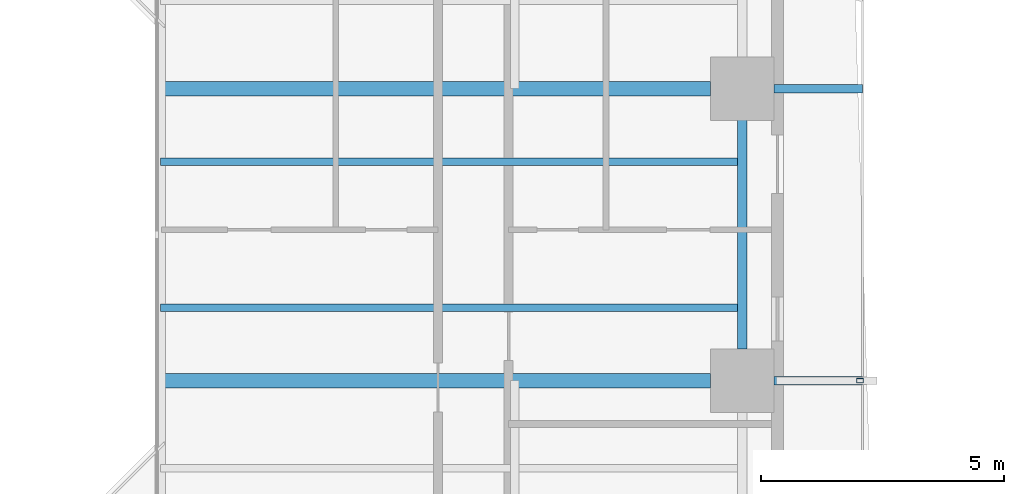
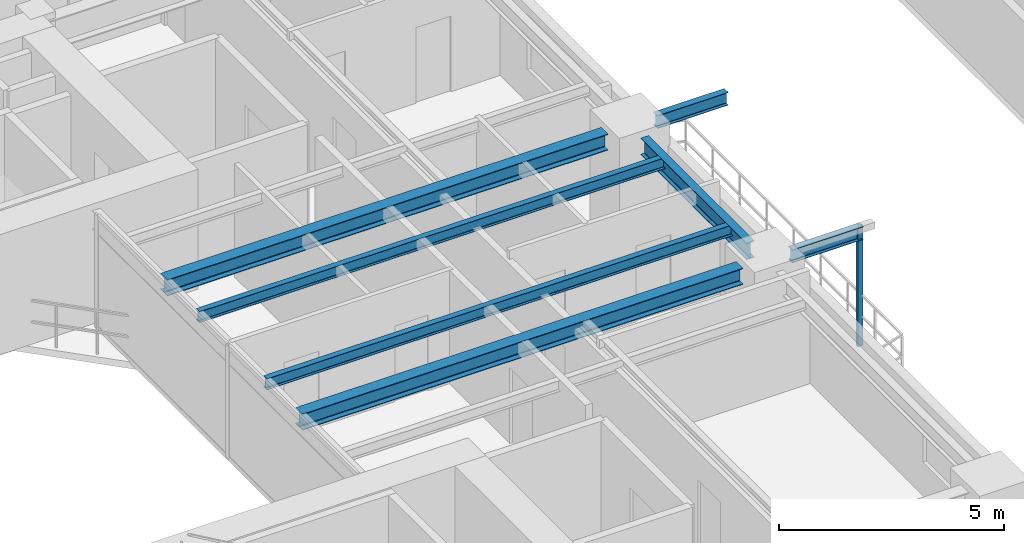
# One storey, part 7 of 23: 7 beams, 1 member.
"""IFC4 building model written with IfcOpenShell, lengths in metres."""

from ifc_helpers import new_model, si_unit, direction, frame, origin, origin_2d, place, context, subcontext, project, spatial, hollow_rectangle, i_section, extrude, source, transform, mapped, material, material_profile, profile_set, type_object, element, save


model = new_model("IFC4")

# Units and contexts
model_context = context("Model", 3, precision=1e-05, world=origin(), true_north=direction((0.0, 1.0)))
body_context = subcontext(model_context, "Body", "Model", "MODEL_VIEW")
ifc_project = project(units=[si_unit("LENGTHUNIT", "METRE"), si_unit("AREAUNIT", "SQUARE_METRE"), si_unit("VOLUMEUNIT", "CUBIC_METRE"), si_unit("PLANEANGLEUNIT", "RADIAN"), si_unit("MASSUNIT", "GRAM", prefix="KILO"), si_unit("THERMODYNAMICTEMPERATUREUNIT", "KELVIN"), si_unit("POWERUNIT", "WATT")], contexts=[model_context])

# Site, building, storey
site_placement = place(None, origin())
site = spatial("IfcSite", under=ifc_project, at=site_placement, CompositionType="ELEMENT")
building_placement = place(site_placement, origin())
building = spatial("IfcBuilding", under=site, at=building_placement, Name="Qiaomeng Ring Towers", CompositionType="ELEMENT")
storey_placement = place(building_placement, frame((0.0, 0.0, 39.25)))
storey = spatial("IfcBuildingStorey", under=building, at=storey_placement, Name="L10", CompositionType="ELEMENT", Elevation=39.25)

# Beams
ifc_material_1 = material(Name="Steel Q355B", Category="steel")
ifc_material_profile_1 = material_profile(ifc_material_1, i_section(OverallWidth=0.199951171875, OverallDepth=0.449951171875, WebThickness=0.009033203125, FlangeThickness=0.013916015625, FilletRadius=0.01806640625, at=origin_2d()), Name="HN 450x200x9x14")
ifc_profile_set_1 = profile_set([ifc_material_profile_1], Name="Steel Q355B")
beam_type_1 = type_object("IfcBeamType", Name="STR-BM-HN450", PredefinedType="SPANDREL", material=ifc_profile_set_1)
shared_shape_1 = source(origin(), body_context, "Body", "SweptSolid", [
    extrude(i_section(OverallWidth=0.199951171875, OverallDepth=0.449951171875, WebThickness=0.009033203125, FlangeThickness=0.013916015625, FilletRadius=0.01806640625, at=origin_2d()), origin(), (0.0, 0.0, 1.0), 4.7021484375),
])
beam_placement = place(storey_placement, frame((37.14990234375, 20.64892578125, 2.844970703125), z_axis=(0.0, 1.0, 0.0), x_axis=(-1.0, 0.0, 0.0)))
element("IfcBeam", 1, at=beam_placement, inside=storey, type_object=beam_type_1, Name="L10 beam STR-SP-L10-T1-E2-E3", PredefinedType="SPANDREL", context=body_context, shape_type="MappedRepresentation", body=[
    mapped(shared_shape_1, transform((0.0, 0.0, 0.0), x_axis=(1.0, 0.0, 0.0), y_axis=(0.0, 1.0, 0.0), z_axis=(0.0, 0.0, 1.0), scale=1.0)),
])
ifc_material_profile_2 = material_profile(ifc_material_1, i_section(OverallWidth=0.300048828125, OverallDepth=0.43994140625, WebThickness=0.010986328125, FlangeThickness=0.01806640625, FilletRadius=0.02392578125, at=origin_2d()), Name="HM 440x300x11x18")
ifc_profile_set_2 = profile_set([ifc_material_profile_2], Name="Steel Q355B")
beam_type_2 = type_object("IfcBeamType", Name="STR-BM-HM440", PredefinedType="BEAM", material=ifc_profile_set_2)
shared_shape_2 = source(origin(), body_context, "Body", "SweptSolid", [
    extrude(i_section(OverallWidth=0.300048828125, OverallDepth=0.43994140625, WebThickness=0.010986328125, FlangeThickness=0.01806640625, FilletRadius=0.02392578125, at=origin_2d()), origin(), (0.0, 0.0, 1.0), 11.301025390625),
])
for number, where, z_axis, x_axis, name in (
    (2, (25.199951171875, 20.0, 2.85009765625), (1.0, 0.0, 0.0), (0.0, 1.0, 0.0), "L10 beam STR-BM-L10-T1-RAD-E2"),
    (3, (25.199951171875, 26.0, 2.85009765625), (1.0, 0.0, 0.0), (0.0, 1.0, 0.0), "L10 beam STR-BM-L10-T1-RAD-E3"),
):
    element("IfcBeam", number, at=place(storey_placement, frame(where, z_axis=z_axis, x_axis=x_axis)), inside=storey, type_object=beam_type_2, Name=name, PredefinedType="BEAM", context=body_context, shape_type="MappedRepresentation", body=[
        mapped(shared_shape_2, transform((0.0, 0.0, 0.0), x_axis=(1.0, 0.0, 0.0), y_axis=(0.0, 1.0, 0.0), z_axis=(0.0, 0.0, 1.0), scale=1.0)),
    ])
ifc_material_profile_3 = material_profile(ifc_material_1, i_section(OverallWidth=0.175048828125, OverallDepth=0.35009765625, WebThickness=0.007080078125, FlangeThickness=0.010986328125, FilletRadius=0.013916015625, at=origin_2d()), Name="HN 350x175x7x11")
ifc_profile_set_3 = profile_set([ifc_material_profile_3], Name="Steel Q355B")
beam_type_3 = type_object("IfcBeamType", Name="STR-BM-HN350", PredefinedType="JOIST", material=ifc_profile_set_3)
shared_shape_3 = source(origin(), body_context, "Body", "SweptSolid", [
    extrude(i_section(OverallWidth=0.175048828125, OverallDepth=0.35009765625, WebThickness=0.007080078125, FlangeThickness=0.010986328125, FilletRadius=0.013916015625, at=origin_2d()), origin(), (0.0, 0.0, 1.0), 1.821044921875),
])
for number, where, z_axis, x_axis, name in (
    (4, (37.799072265625, 20.0, 2.89501953125), (1.0, 0.0, 0.0), (0.0, 1.0, 0.0), "L10 beam STR-BALBM-L10-E2"),
    (5, (37.799072265625, 26.0, 2.89501953125), (1.0, 0.0, 0.0), (0.0, 1.0, 0.0), "L10 beam STR-BALBM-L10-E3"),
):
    element("IfcBeam", number, at=place(storey_placement, frame(where, z_axis=z_axis, x_axis=x_axis)), inside=storey, type_object=beam_type_3, Name=name, PredefinedType="JOIST", context=body_context, shape_type="MappedRepresentation", body=[
        mapped(shared_shape_3, transform((0.0, 0.0, 0.0), x_axis=(1.0, 0.0, 0.0), y_axis=(0.0, 1.0, 0.0), z_axis=(0.0, 0.0, 1.0), scale=1.0)),
    ])
ifc_material_profile_4 = material_profile(ifc_material_1, i_section(OverallWidth=0.14990234375, OverallDepth=0.300048828125, WebThickness=0.006591796875, FlangeThickness=0.009033203125, FilletRadius=0.012939453125, at=origin_2d()), Name="HN 300x150x6.5x9")
ifc_profile_set_4 = profile_set([ifc_material_profile_4], Name="Steel Q355B")
beam_type_4 = type_object("IfcBeamType", Name="STR-BM-HN300", PredefinedType="JOIST", material=ifc_profile_set_4)
shared_shape_4 = source(origin(), body_context, "Body", "SweptSolid", [
    extrude(i_section(OverallWidth=0.14990234375, OverallDepth=0.300048828125, WebThickness=0.006591796875, FlangeThickness=0.009033203125, FilletRadius=0.012939453125, at=origin_2d()), origin(), (0.0, 0.0, 1.0), 11.949951171875),
])
for number, where, z_axis, x_axis, name in (
    (6, (25.199951171875, 21.5, 2.919921875), (1.0, 0.0, 0.0), (0.0, 1.0, 0.0), "L10 beam STR-JST-L10-T1E-2"),
    (7, (25.199951171875, 24.5, 2.919921875), (1.0, 0.0, 0.0), (0.0, 1.0, 0.0), "L10 beam STR-JST-L10-T1E-3"),
):
    element("IfcBeam", number, at=place(storey_placement, frame(where, z_axis=z_axis, x_axis=x_axis)), inside=storey, type_object=beam_type_4, Name=name, PredefinedType="JOIST", context=body_context, shape_type="MappedRepresentation", body=[
        mapped(shared_shape_4, transform((0.0, 0.0, 0.0), x_axis=(1.0, 0.0, 0.0), y_axis=(0.0, 1.0, 0.0), z_axis=(0.0, 0.0, 1.0), scale=1.0)),
    ])

# Member
ifc_material_2 = material(Name="Stainless steel 316", Category="steel")
ifc_material_profile_5 = material_profile(ifc_material_2, hollow_rectangle(XDim=0.090087890625, YDim=0.139892578125, WallThickness=0.0048828125, at=origin_2d()), Name="SS TRELLIS 90x140")
ifc_profile_set_5 = profile_set([ifc_material_profile_5], Name="Stainless steel 316")
member_type = type_object("IfcMemberType", Name="ARC-TR-POST1", PredefinedType="STUD", material=ifc_profile_set_5)
shared_shape_5 = source(origin(), body_context, "Body", "SweptSolid", [
    extrude(hollow_rectangle(XDim=0.090087890625, YDim=0.139892578125, WallThickness=0.0048828125, at=origin_2d()), origin(), (0.0, 0.0, 1.0), 3.25),
])
member_placement = place(storey_placement, frame((39.570068359375, 20.0, -0.179931640625), z_axis=(0.0, 0.0, 1.0), x_axis=(0.0, 1.0, 0.0)))
element("IfcMember", 8, at=member_placement, inside=storey, type_object=member_type, Name="L10 Outer Ventilated Trellis Post E", PredefinedType="STUD", context=body_context, shape_type="MappedRepresentation", body=[
    mapped(shared_shape_5, transform((0.0, 0.0, 0.0), x_axis=(1.0, 0.0, 0.0), y_axis=(0.0, 1.0, 0.0), z_axis=(0.0, 0.0, 1.0), scale=1.0)),
])

save(model, "model.ifc")
